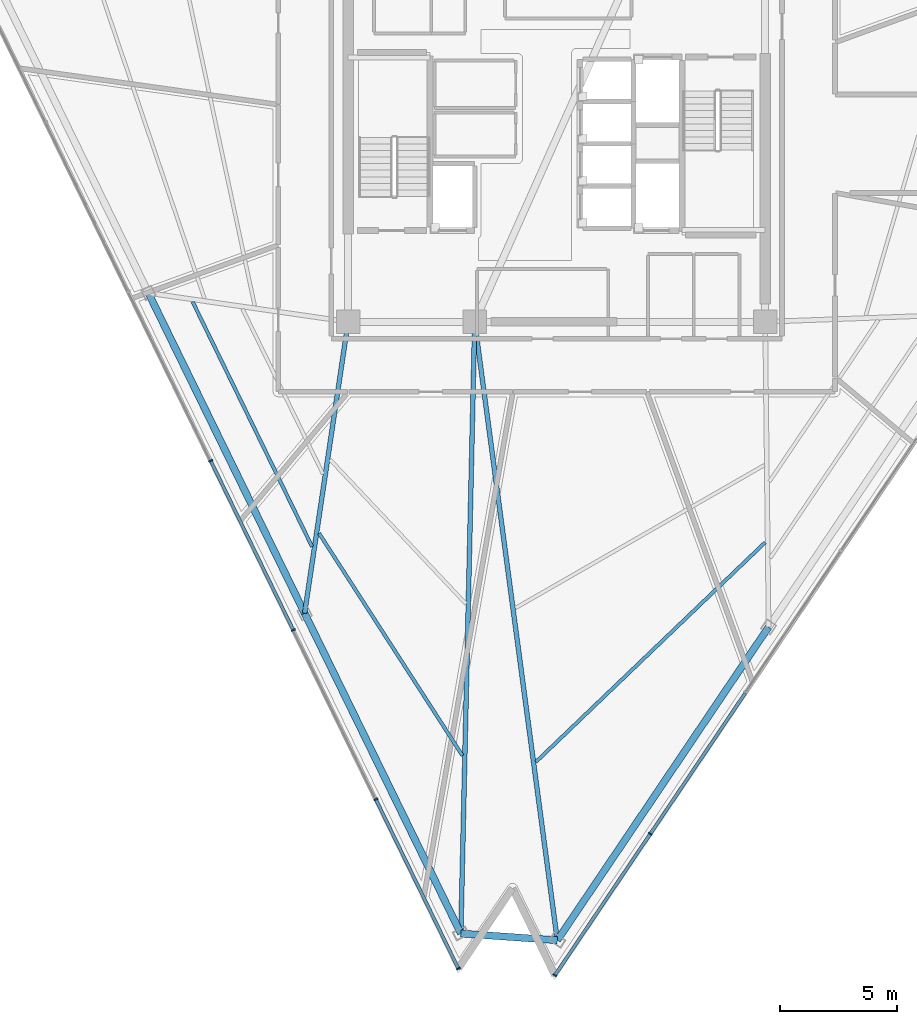
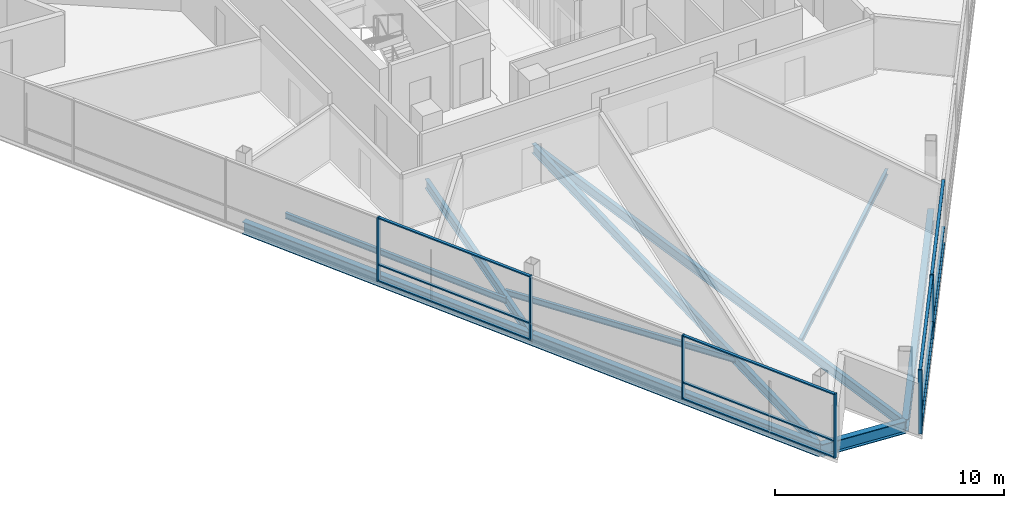
# One storey, part 2 of 14: 18 members, 10 beams, 2 elements without a shape of their own.
"""IFC4 building model written with IfcOpenShell, lengths in metres."""

from ifc_helpers import new_model, si_unit, direction, frame, origin, origin_2d, place, context, subcontext, project, spatial, rectangle, i_section, extrude, material, layer, layer_set, material_profile, profile_set, type_object, element, aggregate, save


model = new_model("IFC4")

# Units and contexts
model_context = context("Model", 3, precision=1e-05, world=origin(), true_north=direction((0.0, 1.0)))
body_context = subcontext(model_context, "Body", "Model", "MODEL_VIEW")
ifc_project = project(units=[si_unit("LENGTHUNIT", "METRE"), si_unit("AREAUNIT", "SQUARE_METRE"), si_unit("VOLUMEUNIT", "CUBIC_METRE"), si_unit("PLANEANGLEUNIT", "RADIAN"), si_unit("MASSUNIT", "GRAM", prefix="KILO")], contexts=[model_context])

# Site, building, storey
site_placement = place(None, origin())
site = spatial("IfcSite", under=ifc_project, at=site_placement, CompositionType="ELEMENT")
building_placement = place(site_placement, origin())
building = spatial("IfcBuilding", under=site, at=building_placement, Name="Tharavind Bronze Gate", CompositionType="ELEMENT")
storey_placement = place(building_placement, frame((0.0, 0.0, 237.85009765625)))
storey = spatial("IfcBuildingStorey", under=building, at=storey_placement, Name="L61", CompositionType="ELEMENT", Elevation=237.85009765625)

# Curtain wall, members
ifc_material_1 = material(Name="Anodised Bronze Aluminium", Category="aluminium")
ifc_layer = layer(ifc_material_1, 0.219970703125)
ifc_layer_set = layer_set([ifc_layer], Name="Anodised Bronze Aluminium")
curtain_wall_type = type_object("IfcCurtainWallType", Name="UNITISED CURTAIN WALL UPPER OFFICE", PredefinedType="USERDEFINED", material=ifc_layer_set)
curtain_wall_1_placement = place(storey_placement, origin())
curtain_wall_1 = element("IfcCurtainWall", 1, at=curtain_wall_1_placement, inside=storey, type_object=curtain_wall_type, Name="L61 unitised curtain wall upper office CW-L61-S1", ObjectType="UNITISED CURTAIN WALL", PredefinedType="USERDEFINED")
member_type_1 = type_object("IfcMemberType", Name="CURTAIN WALL BRONZE MULLION 65X180", PredefinedType="MULLION", material=ifc_material_1)
member_1_placement = place(storey_placement, frame((-14.76611328125, -13.532958984375, 0.0), z_axis=(0.0, 0.0, 1.0), x_axis=(0.438371146789, -0.898794046299, 0.0)))
member_1 = element("IfcMember", 2, at=member_1_placement, type_object=member_type_1, Name="CW-L61-S1 mullion 4", PredefinedType="MULLION", context=body_context, shape_type="SweptSolid", body=[
    extrude(rectangle(XDim=0.06494140625, YDim=0.179931640625, at=origin_2d()), origin(), (0.0, 0.0, 1.0), 3.419921875),
])
member_2_placement = place(storey_placement, frame((-11.24267578125, -20.75732421875, 0.0), z_axis=(0.0, 0.0, 1.0), x_axis=(0.438371146789, -0.898794046299, 0.0)))
member_2 = element("IfcMember", 3, at=member_2_placement, type_object=member_type_1, Name="CW-L61-S1 mullion 5", PredefinedType="MULLION", context=body_context, shape_type="SweptSolid", body=[
    extrude(rectangle(XDim=0.06494140625, YDim=0.179931640625, at=origin_2d()), origin(), (0.0, 0.0, 1.0), 3.419921875),
])
member_3_placement = place(storey_placement, frame((-7.718994140625, -27.98193359375, 0.0), z_axis=(0.0, 0.0, 1.0), x_axis=(0.438371146789, -0.898794046299, 0.0)))
member_3 = element("IfcMember", 4, at=member_3_placement, type_object=member_type_1, Name="CW-L61-S1 mullion 6", PredefinedType="MULLION", context=body_context, shape_type="SweptSolid", body=[
    extrude(rectangle(XDim=0.06494140625, YDim=0.179931640625, at=origin_2d()), origin(), (0.0, 0.0, 1.0), 3.419921875),
])
member_4_placement = place(storey_placement, frame((-4.1953125, -35.20654296875, 0.0), z_axis=(0.0, 0.0, 1.0), x_axis=(0.438371146789, -0.898794046299, 0.0)))
member_4 = element("IfcMember", 5, at=member_4_placement, type_object=member_type_1, Name="CW-L61-S1 mullion 7", PredefinedType="MULLION", context=body_context, shape_type="SweptSolid", body=[
    extrude(rectangle(XDim=0.06494140625, YDim=0.179931640625, at=origin_2d()), origin(), (0.0, 0.0, 1.0), 3.419921875),
])

curtain_wall_2_placement = place(storey_placement, origin())
curtain_wall_2 = element("IfcCurtainWall", 6, at=curtain_wall_2_placement, inside=storey, type_object=curtain_wall_type, Name="L61 unitised curtain wall upper office CW-L61-S2", ObjectType="UNITISED CURTAIN WALL", PredefinedType="USERDEFINED")
member_5_placement = place(storey_placement, frame((-0.077392578125, -35.494384765625, 0.0), z_axis=(0.0, 0.0, 1.0), x_axis=(0.559192903471, 0.829037572555, 0.0)))
member_5 = element("IfcMember", 7, at=member_5_placement, type_object=member_type_1, Name="CW-L61-S2 mullion 1", PredefinedType="MULLION", context=body_context, shape_type="SweptSolid", body=[
    extrude(rectangle(XDim=0.06494140625, YDim=0.179931640625, at=origin_2d()), origin(), (0.0, 0.0, 1.0), 3.419921875),
])
member_6_placement = place(storey_placement, frame((3.9951171875, -29.45654296875, 0.0), z_axis=(0.0, 0.0, 1.0), x_axis=(0.559192903471, 0.829037572555, 0.0)))
member_6 = element("IfcMember", 8, at=member_6_placement, type_object=member_type_1, Name="CW-L61-S2 mullion 2", PredefinedType="MULLION", context=body_context, shape_type="SweptSolid", body=[
    extrude(rectangle(XDim=0.06494140625, YDim=0.179931640625, at=origin_2d()), origin(), (0.0, 0.0, 1.0), 3.419921875),
])

# Member
member_type_2 = type_object("IfcMemberType", Name="CURTAIN WALL BRONZE TRANSOM 65X140", PredefinedType="USERDEFINED", material=ifc_material_1)
member_7_placement = place(storey_placement, frame((-13.00439453125, -17.145263671875, 0.0), z_axis=(0.0, 0.0, 1.0), x_axis=(0.438371146789, -0.898794046299, 0.0)))
member_7 = element("IfcMember", 9, at=member_7_placement, type_object=member_type_2, Name="CW-L61-S1 transom TB4", ObjectType="TRANSOM", PredefinedType="USERDEFINED", context=body_context, shape_type="SweptSolid", body=[
    extrude(rectangle(XDim=7.985107421875, YDim=0.139892578125, at=origin_2d()), origin(), (0.0, 0.0, 1.0), 0.06494140625),
])

member_8_placement = place(storey_placement, frame((-13.00439453125, -17.145263671875, 0.867431640625), z_axis=(0.0, 0.0, 1.0), x_axis=(0.438371146789, -0.898794046299, 0.0)))
member_8 = element("IfcMember", 10, at=member_8_placement, type_object=member_type_2, Name="CW-L61-S1 transom TS4", ObjectType="TRANSOM", PredefinedType="USERDEFINED", context=body_context, shape_type="SweptSolid", body=[
    extrude(rectangle(XDim=7.985107421875, YDim=0.139892578125, at=origin_2d()), origin(), (0.0, 0.0, 1.0), 0.06494140625),
])

member_9_placement = place(storey_placement, frame((-13.00439453125, -17.145263671875, 3.35498046875), z_axis=(0.0, 0.0, 1.0), x_axis=(0.438371146789, -0.898794046299, 0.0)))
member_9 = element("IfcMember", 11, at=member_9_placement, type_object=member_type_2, Name="CW-L61-S1 transom TT4", ObjectType="TRANSOM", PredefinedType="USERDEFINED", context=body_context, shape_type="SweptSolid", body=[
    extrude(rectangle(XDim=7.985107421875, YDim=0.139892578125, at=origin_2d()), origin(), (0.0, 0.0, 1.0), 0.06494140625),
])

member_10_placement = place(storey_placement, frame((-5.95703125, -31.59423828125, 0.0), z_axis=(0.0, 0.0, 1.0), x_axis=(0.438371146789, -0.898794046299, 0.0)))
member_10 = element("IfcMember", 12, at=member_10_placement, type_object=member_type_2, Name="CW-L61-S1 transom TB6", ObjectType="TRANSOM", PredefinedType="USERDEFINED", context=body_context, shape_type="SweptSolid", body=[
    extrude(rectangle(XDim=7.985107421875, YDim=0.139892578125, at=origin_2d()), origin(), (0.0, 0.0, 1.0), 0.06494140625),
])

member_11_placement = place(storey_placement, frame((-5.95703125, -31.59423828125, 0.867431640625), z_axis=(0.0, 0.0, 1.0), x_axis=(0.438371146789, -0.898794046299, 0.0)))
member_11 = element("IfcMember", 13, at=member_11_placement, type_object=member_type_2, Name="CW-L61-S1 transom TS6", ObjectType="TRANSOM", PredefinedType="USERDEFINED", context=body_context, shape_type="SweptSolid", body=[
    extrude(rectangle(XDim=7.985107421875, YDim=0.139892578125, at=origin_2d()), origin(), (0.0, 0.0, 1.0), 0.06494140625),
])

member_12_placement = place(storey_placement, frame((-5.95703125, -31.59423828125, 3.35498046875), z_axis=(0.0, 0.0, 1.0), x_axis=(0.438371146789, -0.898794046299, 0.0)))
member_12 = element("IfcMember", 14, at=member_12_placement, type_object=member_type_2, Name="CW-L61-S1 transom TT6", ObjectType="TRANSOM", PredefinedType="USERDEFINED", context=body_context, shape_type="SweptSolid", body=[
    extrude(rectangle(XDim=7.985107421875, YDim=0.139892578125, at=origin_2d()), origin(), (0.0, 0.0, 1.0), 0.06494140625),
])

aggregate(curtain_wall_1, [member_1, member_2, member_3, member_4, member_7, member_8, member_9, member_10, member_11, member_12])

member_13_placement = place(storey_placement, frame((1.958984375, -32.4755859375, 0.0), z_axis=(0.0, 0.0, 1.0), x_axis=(0.559192903471, 0.829037572555, 0.0)))
member_13 = element("IfcMember", 15, at=member_13_placement, type_object=member_type_2, Name="CW-L61-S2 transom TB1", ObjectType="TRANSOM", PredefinedType="USERDEFINED", context=body_context, shape_type="SweptSolid", body=[
    extrude(rectangle(XDim=7.22998046875, YDim=0.139892578125, at=origin_2d()), origin(), (0.0, 0.0, 1.0), 0.06494140625),
])

member_14_placement = place(storey_placement, frame((1.958984375, -32.4755859375, 0.867431640625), z_axis=(0.0, 0.0, 1.0), x_axis=(0.559192903471, 0.829037572555, 0.0)))
member_14 = element("IfcMember", 16, at=member_14_placement, type_object=member_type_2, Name="CW-L61-S2 transom TS1", ObjectType="TRANSOM", PredefinedType="USERDEFINED", context=body_context, shape_type="SweptSolid", body=[
    extrude(rectangle(XDim=7.22998046875, YDim=0.139892578125, at=origin_2d()), origin(), (0.0, 0.0, 1.0), 0.06494140625),
])

member_15_placement = place(storey_placement, frame((1.958984375, -32.4755859375, 3.35498046875), z_axis=(0.0, 0.0, 1.0), x_axis=(0.559192903471, 0.829037572555, 0.0)))
member_15 = element("IfcMember", 17, at=member_15_placement, type_object=member_type_2, Name="CW-L61-S2 transom TT1", ObjectType="TRANSOM", PredefinedType="USERDEFINED", context=body_context, shape_type="SweptSolid", body=[
    extrude(rectangle(XDim=7.22998046875, YDim=0.139892578125, at=origin_2d()), origin(), (0.0, 0.0, 1.0), 0.06494140625),
])

member_16_placement = place(storey_placement, frame((6.031494140625, -26.437744140625, 0.0), z_axis=(0.0, 0.0, 1.0), x_axis=(0.559192903471, 0.829037572555, 0.0)))
member_16 = element("IfcMember", 18, at=member_16_placement, type_object=member_type_2, Name="CW-L61-S2 transom TB2", ObjectType="TRANSOM", PredefinedType="USERDEFINED", context=body_context, shape_type="SweptSolid", body=[
    extrude(rectangle(XDim=7.22998046875, YDim=0.139892578125, at=origin_2d()), origin(), (0.0, 0.0, 1.0), 0.06494140625),
])

member_17_placement = place(storey_placement, frame((6.031494140625, -26.437744140625, 0.867431640625), z_axis=(0.0, 0.0, 1.0), x_axis=(0.559192903471, 0.829037572555, 0.0)))
member_17 = element("IfcMember", 19, at=member_17_placement, type_object=member_type_2, Name="CW-L61-S2 transom TS2", ObjectType="TRANSOM", PredefinedType="USERDEFINED", context=body_context, shape_type="SweptSolid", body=[
    extrude(rectangle(XDim=7.22998046875, YDim=0.139892578125, at=origin_2d()), origin(), (0.0, 0.0, 1.0), 0.06494140625),
])

member_18_placement = place(storey_placement, frame((6.031494140625, -26.437744140625, 3.35498046875), z_axis=(0.0, 0.0, 1.0), x_axis=(0.559192903471, 0.829037572555, 0.0)))
member_18 = element("IfcMember", 20, at=member_18_placement, type_object=member_type_2, Name="CW-L61-S2 transom TT2", ObjectType="TRANSOM", PredefinedType="USERDEFINED", context=body_context, shape_type="SweptSolid", body=[
    extrude(rectangle(XDim=7.22998046875, YDim=0.139892578125, at=origin_2d()), origin(), (0.0, 0.0, 1.0), 0.06494140625),
])

aggregate(curtain_wall_2, [member_5, member_6, member_13, member_14, member_15, member_16, member_17, member_18])

# Beams
ifc_material_2 = material(Name="Steel S355", Category="steel")
ifc_material_profile_1 = material_profile(ifc_material_2, i_section(OverallWidth=0.300048828125, OverallDepth=0.64990234375, WebThickness=0.01611328125, FlangeThickness=0.031005859375, at=origin_2d()), Name="HE650B")
ifc_profile_set_1 = profile_set([ifc_material_profile_1], Name="Steel S355")
beam_type_1 = type_object("IfcBeamType", Name="PRIMARY GIRDER HE650B", PredefinedType="USERDEFINED", material=ifc_profile_set_1)
beam_1_placement = place(storey_placement, frame((-17.42578125, -6.368896484375, -0.505126953125), z_axis=(0.438369868708, -0.89879466966, 0.0), x_axis=(0.89879466966, 0.438369868708, 0.0)))
element("IfcBeam", 21, at=beam_1_placement, inside=storey, type_object=beam_type_1, Name="L61 primary girder he650b BM-L61-PRG02", ObjectType="GIRDER", PredefinedType="USERDEFINED", context=body_context, shape_type="SweptSolid", body=[
    extrude(i_section(OverallWidth=0.300048828125, OverallDepth=0.64990234375, WebThickness=0.01611328125, FlangeThickness=0.031005859375, at=origin_2d()), origin(), (0.0, 0.0, 1.0), 15.209716796875),
])
beam_2_placement = place(storey_placement, frame((-10.75830078125, -20.039306640625, -0.505126953125), z_axis=(0.438370186885, -0.898794514475, 0.0), x_axis=(0.898794514475, 0.438370186885, 0.0)))
element("IfcBeam", 22, at=beam_2_placement, inside=storey, type_object=beam_type_1, Name="L61 primary girder he650b BM-L61-PRG03", ObjectType="GIRDER", PredefinedType="USERDEFINED", context=body_context, shape_type="SweptSolid", body=[
    extrude(i_section(OverallWidth=0.300048828125, OverallDepth=0.64990234375, WebThickness=0.01611328125, FlangeThickness=0.031005859375, at=origin_2d()), origin(), (0.0, 0.0, 1.0), 15.210205078125),
])
beam_3_placement = place(storey_placement, frame((-4.090576171875, -33.710205078125, -0.505126953125), z_axis=(0.99756592469, -0.069729662964, 0.0), x_axis=(0.069729662964, 0.99756592469, 0.0)))
element("IfcBeam", 23, at=beam_3_placement, inside=storey, type_object=beam_type_1, Name="L61 primary girder he650b BM-L61-PRG04", ObjectType="GIRDER", PredefinedType="USERDEFINED", context=body_context, shape_type="SweptSolid", body=[
    extrude(i_section(OverallWidth=0.300048828125, OverallDepth=0.64990234375, WebThickness=0.01611328125, FlangeThickness=0.031005859375, at=origin_2d()), origin(), (0.0, 0.0, 1.0), 4.1279296875),
])
beam_4_placement = place(storey_placement, frame((0.02734375, -33.998046875, -0.505126953125), z_axis=(0.559188128577, 0.829040793241, 0.0), x_axis=(-0.829040793241, 0.559188128577, 0.0)))
element("IfcBeam", 24, at=beam_4_placement, inside=storey, type_object=beam_type_1, Name="L61 primary girder he650b BM-L61-PRG05", ObjectType="GIRDER", PredefinedType="USERDEFINED", context=body_context, shape_type="SweptSolid", body=[
    extrude(i_section(OverallWidth=0.300048828125, OverallDepth=0.64990234375, WebThickness=0.01611328125, FlangeThickness=0.031005859375, at=origin_2d()), origin(), (0.0, 0.0, 1.0), 16.12744140625),
])
ifc_material_profile_2 = material_profile(ifc_material_2, i_section(OverallWidth=0.199951171875, OverallDepth=0.5, WebThickness=0.01025390625, FlangeThickness=0.01611328125, at=origin_2d()), Name="IPE500")
ifc_profile_set_2 = profile_set([ifc_material_profile_2], Name="Steel S355")
beam_type_2 = type_object("IfcBeamType", Name="PRIMARY GIRDER IPE500", PredefinedType="USERDEFINED", material=ifc_profile_set_2)
beam_5_placement = place(storey_placement, frame((-10.75830078125, -20.039306640625, -0.43017578125), z_axis=(0.147758563849, 0.989023461203, 0.0), x_axis=(-0.989023461203, 0.147758563849, 0.0)))
element("IfcBeam", 25, at=beam_5_placement, inside=storey, type_object=beam_type_2, Name="L61 primary girder ipe500 BM-L61-RAD03", ObjectType="GIRDER", PredefinedType="USERDEFINED", context=body_context, shape_type="SweptSolid", body=[
    extrude(i_section(OverallWidth=0.199951171875, OverallDepth=0.5, WebThickness=0.01025390625, FlangeThickness=0.01611328125, at=origin_2d()), origin(), (0.0, 0.0, 1.0), 12.5771484375),
])
beam_6_placement = place(storey_placement, frame((-4.090576171875, -33.710205078125, -0.43017578125), z_axis=(0.022612896588, 0.999744295762, 0.0), x_axis=(-0.999744295762, 0.022612896588, 0.0)))
element("IfcBeam", 26, at=beam_6_placement, inside=storey, type_object=beam_type_2, Name="L61 primary girder ipe500 BM-L61-RAD04", ObjectType="GIRDER", PredefinedType="USERDEFINED", context=body_context, shape_type="SweptSolid", body=[
    extrude(i_section(OverallWidth=0.199951171875, OverallDepth=0.5, WebThickness=0.01025390625, FlangeThickness=0.01611328125, at=origin_2d()), origin(), (0.0, 0.0, 1.0), 26.11669921875),
])
beam_7_placement = place(storey_placement, frame((0.02734375, -33.998046875, -0.43017578125), z_axis=(-0.132444729181, 0.991190392262, 0.0), x_axis=(-0.991190392262, -0.132444729181, 0.0)))
element("IfcBeam", 27, at=beam_7_placement, inside=storey, type_object=beam_type_2, Name="L61 primary girder ipe500 BM-L61-RAD05", ObjectType="GIRDER", PredefinedType="USERDEFINED", context=body_context, shape_type="SweptSolid", body=[
    extrude(i_section(OverallWidth=0.199951171875, OverallDepth=0.5, WebThickness=0.01025390625, FlangeThickness=0.01611328125, at=origin_2d()), origin(), (0.0, 0.0, 1.0), 26.632568359375),
])
ifc_material_profile_3 = material_profile(ifc_material_2, i_section(OverallWidth=0.14990234375, OverallDepth=0.300048828125, WebThickness=0.007080078125, FlangeThickness=0.0107421875, at=origin_2d()), Name="IPE300")
ifc_profile_set_3 = profile_set([ifc_material_profile_3], Name="Steel S355")
beam_type_3 = type_object("IfcBeamType", Name="SECONDARY FLOOR JOIST IPE300", PredefinedType="JOIST", material=ifc_profile_set_3)
beam_8_placement = place(storey_placement, frame((-15.5380859375, -6.745849609375, -0.330078125), z_axis=(0.438386835701, -0.898786394136, 0.0), x_axis=(0.898786394136, 0.438386835701, 0.0)))
element("IfcBeam", 28, at=beam_8_placement, inside=storey, type_object=beam_type_3, Name="L61 secondary floor joist ipe300 BM-L61-JSTB02", PredefinedType="JOIST", context=body_context, shape_type="SweptSolid", body=[
    extrude(i_section(OverallWidth=0.14990234375, OverallDepth=0.300048828125, WebThickness=0.007080078125, FlangeThickness=0.0107421875, at=origin_2d()), origin(), (0.0, 0.0, 1.0), 11.63427734375),
])
beam_9_placement = place(storey_placement, frame((-10.144287109375, -16.624755859375, -0.330078125), z_axis=(0.54214213251, -0.840286801132, 0.0), x_axis=(0.840286801132, 0.54214213251, 0.0)))
element("IfcBeam", 29, at=beam_9_placement, inside=storey, type_object=beam_type_3, Name="L61 secondary floor joist ipe300 BM-L61-JSTB03", PredefinedType="JOIST", context=body_context, shape_type="SweptSolid", body=[
    extrude(i_section(OverallWidth=0.14990234375, OverallDepth=0.300048828125, WebThickness=0.007080078125, FlangeThickness=0.0107421875, at=origin_2d()), origin(), (0.0, 0.0, 1.0), 11.294677734375),
])
beam_10_placement = place(storey_placement, frame((-0.885498046875, -26.385986328125, -0.330078125), z_axis=(0.722227015717, 0.691656083446, 0.0), x_axis=(-0.691656083446, 0.722227015717, 0.0)))
element("IfcBeam", 30, at=beam_10_placement, inside=storey, type_object=beam_type_3, Name="L61 secondary floor joist ipe300 BM-L61-JSTB05", PredefinedType="JOIST", context=body_context, shape_type="SweptSolid", body=[
    extrude(i_section(OverallWidth=0.14990234375, OverallDepth=0.300048828125, WebThickness=0.007080078125, FlangeThickness=0.0107421875, at=origin_2d()), origin(), (0.0, 0.0, 1.0), 13.55224609375),
])

save(model, "model.ifc")
